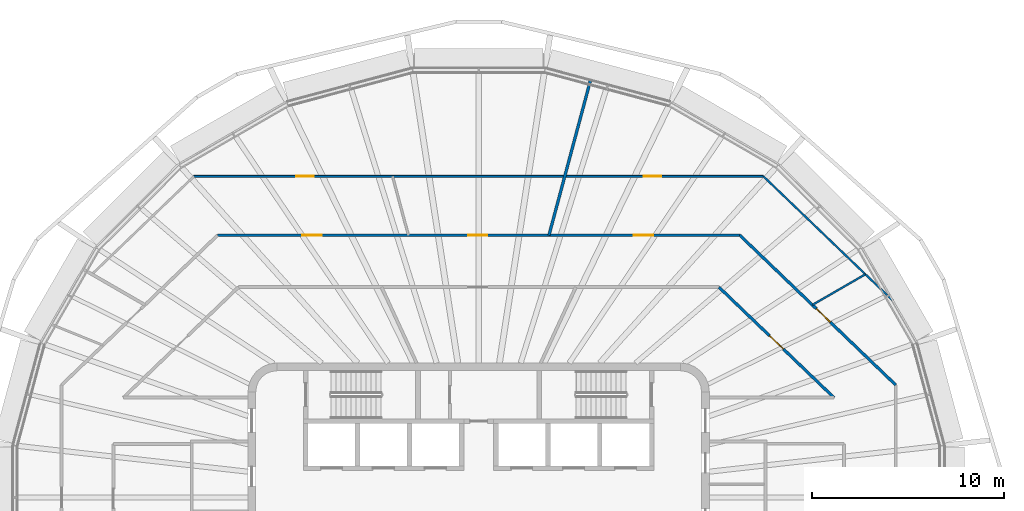
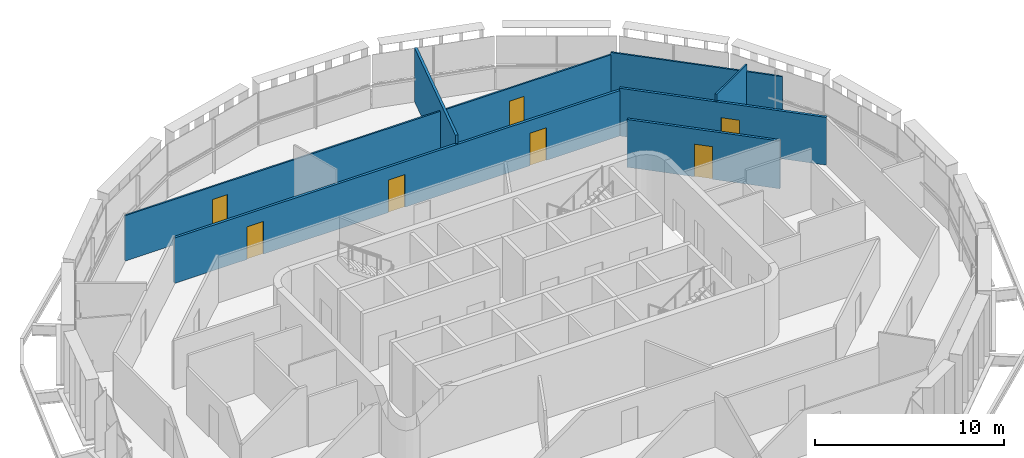
# One storey, part 11 of 18: 7 doors, 7 walls, 7 openings.
"""IFC4 building model written with IfcOpenShell, lengths in metres."""

import ifcopenshell
import ifcopenshell.guid

model = None  # the IFC model being written
_history = None  # IfcOwnerHistory: only IFC2X3 demands one
_inside = {}  # id of a spatial element -> (the spatial element, [elements in it])
_under = {}  # id of a project, library or spatial element -> (it, [spatial elements below it])
_declared = {}  # id of a project -> (the project, [libraries it declares])
_typed = {}  # id of a type object -> (the type object, [elements of that type])
_made_of = {}  # id of a material, layer set ... -> (it, [elements and type objects made of it])


def new_model(schema):
    """Start an empty IFC model of exactly this schema.

    Asked for "IFC4X3", IfcOpenShell would pick the latest addendum, in which some entities
    have other attributes; the version numbers below select the first issue.
    IFC2X3 requires an IfcOwnerHistory on every rooted entity: one is made here for all.
    """
    global model, _history
    if schema == "IFC4X3":
        model = ifcopenshell.file(schema_version=(4, 3, 0, 0))
    else:
        model = ifcopenshell.file(schema=schema)
    _inside.clear()
    _under.clear()
    _declared.clear()
    _typed.clear()
    _made_of.clear()
    _history = None
    if model.schema == "IFC2X3":
        org = make("IfcOrganization", Name="unknown")
        user = make(
            "IfcPersonAndOrganization",
            ThePerson=make("IfcPerson", FamilyName="unknown"),
            TheOrganization=org,
        )
        app = make(
            "IfcApplication",
            ApplicationDeveloper=org,
            Version="unknown",
            ApplicationFullName="unknown",
            ApplicationIdentifier="unknown",
        )
        _history = make(
            "IfcOwnerHistory",
            OwningUser=user,
            OwningApplication=app,
            ChangeAction="ADDED",
            CreationDate=0,
        )
    return model


def make(cls, **values):
    """One entity of the class cls with the attributes given. An attribute that is None is left unset."""
    return model.create_entity(
        cls, **{name: value for name, value in values.items() if value is not None}
    )


def rooted(cls, **values):
    """An entity with a GlobalId (a new one), such as an element, a storey or a relation."""
    return make(cls, GlobalId=ifcopenshell.guid.new(), OwnerHistory=_history, **values)


def si_unit(unit_type, name, prefix=None):
    """IfcSIUnit, for example si_unit("LENGTHUNIT", "METRE", prefix="MILLI")."""
    return make("IfcSIUnit", UnitType=unit_type, Prefix=prefix, Name=name)


def assignment(units):
    """IfcUnitAssignment: the units of a project."""
    return None if units is None else make("IfcUnitAssignment", Units=units)


def point(xyz):
    """IfcCartesianPoint."""
    return None if xyz is None else make("IfcCartesianPoint", Coordinates=xyz)


def direction(xyz):
    """IfcDirection."""
    return None if xyz is None else make("IfcDirection", DirectionRatios=xyz)


def frame(location, z_axis=None, x_axis=None):
    """IfcAxis2Placement3D, a coordinate frame: its origin and axes. An axis left out is left unset."""
    return make(
        "IfcAxis2Placement3D",
        Location=point(location),
        Axis=direction(z_axis),
        RefDirection=direction(x_axis),
    )


def frame_2d(location, x_axis=None):
    """IfcAxis2Placement2D, a coordinate frame in the plane: its origin and x axis."""
    return make(
        "IfcAxis2Placement2D", Location=point(location), RefDirection=direction(x_axis)
    )


def origin():
    """The frame at (0, 0, 0) with its axes left unset."""
    return frame((0.0, 0.0, 0.0))


def place(relative_to, where):
    """IfcLocalPlacement: puts the frame where relative to a parent placement (None: the world)."""
    return make(
        "IfcLocalPlacement", PlacementRelTo=relative_to, RelativePlacement=where
    )


def context(
    kind, dimensions, precision=None, world=None, true_north=None, identifier=None
):
    """IfcGeometricRepresentationContext, for example the 3D "Model" context."""
    return make(
        "IfcGeometricRepresentationContext",
        ContextIdentifier=identifier,
        ContextType=kind,
        CoordinateSpaceDimension=dimensions,
        Precision=precision,
        WorldCoordinateSystem=world,
        TrueNorth=true_north,
    )


def subcontext(parent, identifier, kind, view, scale=None):
    """IfcGeometricRepresentationSubContext, for example "Body" below "Model"."""
    return make(
        "IfcGeometricRepresentationSubContext",
        ContextIdentifier=identifier,
        ContextType=kind,
        ParentContext=parent,
        TargetScale=scale,
        TargetView=view,
    )


def project(units=None, contexts=None):
    """IfcProject with its units and contexts."""
    return rooted(
        "IfcProject",
        Name="project",
        RepresentationContexts=contexts,
        UnitsInContext=assignment(units),
    )


def spatial(cls, under=None, at=None, **own):
    """A site, building, storey or space (cls), placed at a placement, below another one or the project."""
    s = rooted(cls, ObjectPlacement=at, **own)
    if under is not None:
        _under.setdefault(under.id(), (under, []))[1].append(s)
    return s


def profile(cls, at=None, kind="AREA", **sizes):
    """A parametric profile (cls). Its sizes go by their IFC names, for example OverallWidth=200.0."""
    return make(cls, ProfileType=kind, Position=at, **sizes)


def rectangle(**sizes):
    """IfcRectangleProfileDef."""
    return profile("IfcRectangleProfileDef", **sizes)


def extrude(swept, where, along, depth):
    """IfcExtrudedAreaSolid: the profile swept, set in the frame where, extruded along a direction by depth."""
    return make(
        "IfcExtrudedAreaSolid",
        SweptArea=swept,
        Position=where,
        ExtrudedDirection=direction(along),
        Depth=depth,
    )


def shape(context_of_items, identifier, shape_type, items):
    """IfcShapeRepresentation: the items that make up one representation, for example the "Body"."""
    return make(
        "IfcShapeRepresentation",
        ContextOfItems=context_of_items,
        RepresentationIdentifier=identifier,
        RepresentationType=shape_type,
        Items=items,
    )


def material(Name=None, Category=None):
    """IfcMaterial."""
    return make("IfcMaterial", Name=Name, Category=Category)


def layer(
    of_material, thickness, ventilated=None, Name=None, Category=None, Priority=None
):
    """IfcMaterialLayer: one layer of a wall or slab, of a material (None: an air gap)."""
    return make(
        "IfcMaterialLayer",
        Material=of_material,
        LayerThickness=thickness,
        IsVentilated=ventilated,
        Name=Name,
        Category=Category,
        Priority=Priority,
    )


def layer_set(layers, Name=None):
    """IfcMaterialLayerSet."""
    return make("IfcMaterialLayerSet", MaterialLayers=layers, LayerSetName=Name)


def made_of(thing, what):
    """Note that an element or type object is made of a material, layer set ...; save() writes the relation."""
    if what is not None:
        _made_of.setdefault(what.id(), (what, []))[1].append(thing)
    return thing


def type_object(cls, material=None, **own):
    """A type object (cls), such as IfcWallType, which elements share."""
    return made_of(rooted(cls, **own), material)


def element(
    cls,
    number,
    at=None,
    inside=None,
    cuts=None,
    type_object=None,
    material=None,
    context=None,
    identifier="Body",
    shape_type=None,
    held_by="IfcProductDefinitionShape",
    body=None,
    shapes=None,
    **own,
):
    """One element of the class cls, such as IfcWall. Its Tag is "e" and its number.

    at: its placement. inside: the storey or other place that contains it. cuts: it is an
    opening in that element (IfcRelVoidsElement). A single representation is given by context,
    identifier, shape_type and body (its items); several are given by shapes. held_by: the class
    of the entity that holds the representations. save() writes the other relations.
    """
    e = rooted(cls, Tag="e%d" % number, ObjectPlacement=at, **own)
    if body is not None:
        shapes = [shape(context, identifier, shape_type, body)]
    if shapes is not None:
        e.Representation = make(held_by, Representations=shapes)
    if inside is not None:
        _inside.setdefault(inside.id(), (inside, []))[1].append(e)
    if cuts is not None:
        rooted(
            "IfcRelVoidsElement", RelatingBuildingElement=cuts, RelatedOpeningElement=e
        )
    if type_object is not None:
        _typed.setdefault(type_object.id(), (type_object, []))[1].append(e)
    return made_of(e, material)


def fill(opening, filler):
    """IfcRelFillsElement: the door or window that sits in an opening."""
    return rooted(
        "IfcRelFillsElement",
        RelatingOpeningElement=opening,
        RelatedBuildingElement=filler,
    )


def aggregate(whole, parts):
    """IfcRelAggregates: a whole, such as a stair, and the parts it consists of."""
    return rooted("IfcRelAggregates", RelatingObject=whole, RelatedObjects=parts)


def save(model, path):
    """Write the relations noted so far, then the file.

    IfcRelAggregates (storeys below a building ...), IfcRelContainedInSpatialStructure (elements
    in a storey), IfcRelDefinesByType, IfcRelAssociatesMaterial and IfcRelDeclares: one each for
    every whole, place, type object, material and project.
    """
    for whole, parts in _under.values():
        aggregate(whole, parts)
    for where, things in _inside.values():
        rooted(
            "IfcRelContainedInSpatialStructure",
            RelatedElements=things,
            RelatingStructure=where,
        )
    for kind, things in _typed.values():
        rooted("IfcRelDefinesByType", RelatedObjects=things, RelatingType=kind)
    for what, things in _made_of.values():
        rooted("IfcRelAssociatesMaterial", RelatedObjects=things, RelatingMaterial=what)
    for by, libraries in _declared.values():
        rooted("IfcRelDeclares", RelatingContext=by, RelatedDefinitions=libraries)
    model.write(path)


model = new_model("IFC4")

# Units and contexts
model_context = context("Model", 3, precision=1e-05, world=origin(), true_north=direction((0.0, 1.0)))
body_context = subcontext(model_context, "Body", "Model", "MODEL_VIEW")
ifc_project = project(units=[si_unit("LENGTHUNIT", "METRE"), si_unit("AREAUNIT", "SQUARE_METRE"), si_unit("VOLUMEUNIT", "CUBIC_METRE"), si_unit("PLANEANGLEUNIT", "RADIAN"), si_unit("MASSUNIT", "GRAM", prefix="KILO")], contexts=[model_context])

# Site, building, storey
site_placement = place(None, origin())
site = spatial("IfcSite", under=ifc_project, at=site_placement, CompositionType="ELEMENT")
building_placement = place(site_placement, origin())
building = spatial("IfcBuilding", under=site, at=building_placement, Name="Sahrelin Media Tower", CompositionType="ELEMENT")
storey_placement = place(building_placement, frame((0.0, 0.0, 320.39990234375)))
storey = spatial("IfcBuildingStorey", under=building, at=storey_placement, Name="L71", CompositionType="ELEMENT", Elevation=320.39990234375)

# Wall, opening, door
ifc_material_1 = material(Name="Fire-rated gypsum board partition")
ifc_layer_1 = layer(ifc_material_1, 0.14990234375)
ifc_layer_set_1 = layer_set([ifc_layer_1], Name="Fire-rated partition 150")
wall_type_1 = type_object("IfcWallType", Name="Fire-rated partition 150", PredefinedType="PARTITIONING", material=ifc_layer_set_1)
wall_1_placement = place(storey_placement, frame((12.498046875, 10.948974609375, 0.0), z_axis=(0.0, 0.0, 1.0), x_axis=(0.721258572397, -0.692665916401, 0.0)))
wall_1 = element("IfcWall", 1, at=wall_1_placement, inside=storey, type_object=wall_type_1, Name="Wall", PredefinedType="PARTITIONING", context=body_context, shape_type="SweptSolid", body=[
    extrude(rectangle(XDim=8.299560546875, YDim=0.14990234375, at=frame_2d((4.14990234375, 0.0))), origin(), (0.0, 0.0, 1.0), 3.076171875),
])
opening_1_placement = place(wall_1_placement, frame((3.6494140625, 0.0, 0.0)))
opening_1 = element("IfcOpeningElement", 2, at=opening_1_placement, cuts=wall_1, Name="Opening L71-D22", PredefinedType="OPENING", context=body_context, shape_type="SweptSolid", body=[
    extrude(rectangle(XDim=1.0, YDim=2.10009765625, at=frame_2d((0.5, 1.050048828125))), frame((0.0, 0.074951171875, 0.0), z_axis=(0.0, -1.0, 0.0), x_axis=(1.0, 0.0, 0.0)), (0.0, 0.0, 1.0), 0.14990234375),
])
ifc_material_2 = material(Name="Steel fire door leaf", Category="steel")
door_type_1 = type_object("IfcDoorType", Name="Fire door 1000 x 2100 EI 60", OperationType="NOTDEFINED", PredefinedType="DOOR", material=ifc_material_2)
door_1_placement = place(opening_1_placement, origin())
door_1 = element("IfcDoor", 3, at=door_1_placement, inside=storey, type_object=door_type_1, Name="Fire door", OperationType="SINGLE_SWING_LEFT", OverallHeight=2.10009765625, OverallWidth=1.0, PredefinedType="DOOR", context=body_context, shape_type="SweptSolid", body=[
    extrude(rectangle(XDim=1.0, YDim=2.10009765625, at=frame_2d((0.5, 1.050048828125))), frame((0.0, 0.02490234375, 0.0), z_axis=(0.0, -1.0, 0.0), x_axis=(1.0, 0.0, 0.0)), (0.0, 0.0, 1.0), 0.050048828125),
])
fill(opening_1, door_1)

wall_2_placement = place(storey_placement, frame((13.583984375, 13.64892578125, 0.0), z_axis=(0.0, 0.0, 1.0), x_axis=(0.721271112153, -0.692652858778, 0.0)))
wall_2 = element("IfcWall", 4, at=wall_2_placement, inside=storey, type_object=wall_type_1, Name="Wall", PredefinedType="PARTITIONING", context=body_context, shape_type="SweptSolid", body=[
    extrude(rectangle(XDim=11.252197265625, YDim=0.14990234375, at=frame_2d((5.6259765625, 0.0))), origin(), (0.0, 0.0, 1.0), 3.076171875),
])
opening_2_placement = place(wall_2_placement, frame((5.528564453125, 0.0, 0.0)))
opening_2 = element("IfcOpeningElement", 5, at=opening_2_placement, cuts=wall_2, Name="Opening L71-D26", PredefinedType="OPENING", context=body_context, shape_type="SweptSolid", body=[
    extrude(rectangle(XDim=1.0, YDim=2.10009765625, at=frame_2d((0.5, 1.050048828125))), frame((0.0, 0.074951171875, 0.0), z_axis=(0.0, -1.0, 0.0), x_axis=(1.0, 0.0, 0.0)), (0.0, 0.0, 1.0), 0.14990234375),
])
door_2_placement = place(opening_2_placement, origin())
door_2 = element("IfcDoor", 6, at=door_2_placement, inside=storey, type_object=door_type_1, Name="Fire door", OperationType="SINGLE_SWING_LEFT", OverallHeight=2.10009765625, OverallWidth=1.0, PredefinedType="DOOR", context=body_context, shape_type="SweptSolid", body=[
    extrude(rectangle(XDim=1.0, YDim=2.10009765625, at=frame_2d((0.5, 1.050048828125))), frame((0.0, 0.02490234375, 0.0), z_axis=(0.0, -1.0, 0.0), x_axis=(1.0, 0.0, 0.0)), (0.0, 0.0, 1.0), 0.050048828125),
])
fill(opening_2, door_2)

# Wall, openings, doors
wall_3_placement = place(storey_placement, frame((-13.583984375, 13.64892578125, 0.0), z_axis=(0.0, 0.0, 1.0), x_axis=(1.0, 0.0, 0.0)))
wall_3 = element("IfcWall", 7, at=wall_3_placement, inside=storey, type_object=wall_type_1, Name="Wall", PredefinedType="PARTITIONING", context=body_context, shape_type="SweptSolid", body=[
    extrude(rectangle(XDim=27.16796875, YDim=0.14990234375, at=frame_2d((13.583984375, 0.0))), origin(), (0.0, 0.0, 1.0), 2.927001953125),
])
opening_3_placement = place(wall_3_placement, frame((21.654296875, 0.0, 0.0)))
opening_3 = element("IfcOpeningElement", 8, at=opening_3_placement, cuts=wall_3, Name="Opening L71-D27", PredefinedType="OPENING", context=body_context, shape_type="SweptSolid", body=[
    extrude(rectangle(XDim=1.0, YDim=2.10009765625, at=frame_2d((0.5, 1.050048828125))), frame((0.0, 0.074951171875, 0.0), z_axis=(0.0, -1.0, 0.0), x_axis=(1.0, 0.0, 0.0)), (0.0, 0.0, 1.0), 0.14990234375),
])
opening_4_placement = place(wall_3_placement, frame((13.033935546875, 0.0, 0.0)))
opening_4 = element("IfcOpeningElement", 9, at=opening_4_placement, cuts=wall_3, Name="Opening L71-D29", PredefinedType="OPENING", context=body_context, shape_type="SweptSolid", body=[
    extrude(rectangle(XDim=1.0, YDim=2.10009765625, at=frame_2d((0.5, 1.050048828125))), frame((0.0, 0.074951171875, 0.0), z_axis=(0.0, -1.0, 0.0), x_axis=(1.0, 0.0, 0.0)), (0.0, 0.0, 1.0), 0.14990234375),
])
opening_5_placement = place(wall_3_placement, frame((4.413330078125, 0.0, 0.0)))
opening_5 = element("IfcOpeningElement", 10, at=opening_5_placement, cuts=wall_3, Name="Opening L71-D30", PredefinedType="OPENING", context=body_context, shape_type="SweptSolid", body=[
    extrude(rectangle(XDim=1.0, YDim=2.10009765625, at=frame_2d((0.5, 1.050048828125))), frame((0.0, 0.074951171875, 0.0), z_axis=(0.0, -1.0, 0.0), x_axis=(1.0, 0.0, 0.0)), (0.0, 0.0, 1.0), 0.14990234375),
])
door_3_placement = place(opening_3_placement, origin())
door_3 = element("IfcDoor", 11, at=door_3_placement, inside=storey, type_object=door_type_1, Name="Fire door", OperationType="SINGLE_SWING_LEFT", OverallHeight=2.10009765625, OverallWidth=1.0, PredefinedType="DOOR", context=body_context, shape_type="SweptSolid", body=[
    extrude(rectangle(XDim=1.0, YDim=2.10009765625, at=frame_2d((0.5, 1.050048828125))), frame((0.0, 0.02490234375, 0.0), z_axis=(0.0, -1.0, 0.0), x_axis=(1.0, 0.0, 0.0)), (0.0, 0.0, 1.0), 0.050048828125),
])
fill(opening_3, door_3)
door_4_placement = place(opening_4_placement, origin())
door_4 = element("IfcDoor", 12, at=door_4_placement, inside=storey, type_object=door_type_1, Name="Fire door", OperationType="SINGLE_SWING_RIGHT", OverallHeight=2.10009765625, OverallWidth=1.0, PredefinedType="DOOR", context=body_context, shape_type="SweptSolid", body=[
    extrude(rectangle(XDim=1.0, YDim=2.10009765625, at=frame_2d((0.5, 1.050048828125))), frame((0.0, 0.02490234375, 0.0), z_axis=(0.0, -1.0, 0.0), x_axis=(1.0, 0.0, 0.0)), (0.0, 0.0, 1.0), 0.050048828125),
])
fill(opening_4, door_4)
door_5_placement = place(opening_5_placement, origin())
door_5 = element("IfcDoor", 13, at=door_5_placement, inside=storey, type_object=door_type_1, Name="Fire door", OperationType="SINGLE_SWING_RIGHT", OverallHeight=2.10009765625, OverallWidth=1.0, PredefinedType="DOOR", context=body_context, shape_type="SweptSolid", body=[
    extrude(rectangle(XDim=1.0, YDim=2.10009765625, at=frame_2d((0.5, 1.050048828125))), frame((0.0, 0.02490234375, 0.0), z_axis=(0.0, -1.0, 0.0), x_axis=(1.0, 0.0, 0.0)), (0.0, 0.0, 1.0), 0.050048828125),
])
fill(opening_5, door_5)

# Walls
wall_4_placement = place(storey_placement, frame((3.656982421875, 13.64892578125, 0.0), z_axis=(0.0, 0.0, 1.0), x_axis=(0.258848580141, 0.965917911915, 0.0)))
element("IfcWall", 14, at=wall_4_placement, inside=storey, type_object=wall_type_1, Name="Wall", PredefinedType="PARTITIONING", context=body_context, shape_type="SweptSolid", body=[
    extrude(rectangle(XDim=8.352783203125, YDim=0.14990234375, at=frame_2d((4.17626953125, 0.0))), origin(), (0.0, 0.0, 1.0), 3.47509765625),
])
ifc_material_3 = material(Name="Gypsum board partition")
ifc_layer_2 = layer(ifc_material_3, 0.10009765625)
ifc_layer_set_2 = layer_set([ifc_layer_2], Name="Partition 100")
wall_type_2 = type_object("IfcWallType", Name="Partition 100", PredefinedType="PARTITIONING", material=ifc_layer_set_2)
wall_5_placement = place(storey_placement, frame((14.81494140625, 16.708984375, 0.0), z_axis=(0.0, 0.0, 1.0), x_axis=(0.721311576117, -0.692610720506, 0.0)))
element("IfcWall", 15, at=wall_5_placement, inside=storey, type_object=wall_type_2, Name="Wall", PredefinedType="PARTITIONING", context=body_context, shape_type="SweptSolid", body=[
    extrude(rectangle(XDim=9.340087890625, YDim=0.10009765625, at=frame_2d((4.669921875, 0.0))), origin(), (0.0, 0.0, 1.0), 3.076171875),
])

# Wall, openings, doors
wall_6_placement = place(storey_placement, frame((-14.81494140625, 16.708984375, 0.0), z_axis=(0.0, 0.0, 1.0), x_axis=(1.0, 0.0, 0.0)))
wall_6 = element("IfcWall", 16, at=wall_6_placement, inside=storey, type_object=wall_type_2, Name="Wall", PredefinedType="PARTITIONING", context=body_context, shape_type="SweptSolid", body=[
    extrude(rectangle(XDim=29.6298828125, YDim=0.10009765625, at=frame_2d((14.81494140625, 0.0))), origin(), (0.0, 0.0, 1.0), 2.927001953125),
])
opening_6_placement = place(wall_6_placement, frame((23.408203125, 0.0, 0.0)))
opening_6 = element("IfcOpeningElement", 17, at=opening_6_placement, cuts=wall_6, Name="Opening L71-D28", PredefinedType="OPENING", context=body_context, shape_type="SweptSolid", body=[
    extrude(rectangle(XDim=0.89990234375, YDim=2.10009765625, at=frame_2d((0.449951171875, 1.050048828125))), frame((0.0, 0.050048828125, 0.0), z_axis=(0.0, -1.0, 0.0), x_axis=(1.0, 0.0, 0.0)), (0.0, 0.0, 1.0), 0.10009765625),
])
opening_7_placement = place(wall_6_placement, frame((5.32177734375, 0.0, 0.0)))
opening_7 = element("IfcOpeningElement", 18, at=opening_7_placement, cuts=wall_6, Name="Opening L71-D31", PredefinedType="OPENING", context=body_context, shape_type="SweptSolid", body=[
    extrude(rectangle(XDim=0.89990234375, YDim=2.10009765625, at=frame_2d((0.449951171875, 1.050048828125))), frame((0.0, 0.050048828125, 0.0), z_axis=(0.0, -1.0, 0.0), x_axis=(1.0, 0.0, 0.0)), (0.0, 0.0, 1.0), 0.10009765625),
])
ifc_material_4 = material(Name="Timber door leaf", Category="wood")
door_type_2 = type_object("IfcDoorType", Name="Single door 900 x 2100", OperationType="NOTDEFINED", PredefinedType="DOOR", material=ifc_material_4)
door_6_placement = place(opening_6_placement, origin())
door_6 = element("IfcDoor", 19, at=door_6_placement, inside=storey, type_object=door_type_2, Name="Single door", OperationType="SINGLE_SWING_RIGHT", OverallHeight=2.10009765625, OverallWidth=0.89990234375, PredefinedType="DOOR", context=body_context, shape_type="SweptSolid", body=[
    extrude(rectangle(XDim=0.89990234375, YDim=2.10009765625, at=frame_2d((0.449951171875, 1.050048828125))), frame((0.0, 0.02490234375, 0.0), z_axis=(0.0, -1.0, 0.0), x_axis=(1.0, 0.0, 0.0)), (0.0, 0.0, 1.0), 0.050048828125),
])
fill(opening_6, door_6)
door_7_placement = place(opening_7_placement, origin())
door_7 = element("IfcDoor", 20, at=door_7_placement, inside=storey, type_object=door_type_2, Name="Single door", OperationType="SINGLE_SWING_RIGHT", OverallHeight=2.10009765625, OverallWidth=0.89990234375, PredefinedType="DOOR", context=body_context, shape_type="SweptSolid", body=[
    extrude(rectangle(XDim=0.89990234375, YDim=2.10009765625, at=frame_2d((0.449951171875, 1.050048828125))), frame((0.0, 0.02490234375, 0.0), z_axis=(0.0, -1.0, 0.0), x_axis=(1.0, 0.0, 0.0)), (0.0, 0.0, 1.0), 0.050048828125),
])
fill(opening_7, door_7)

# Wall
wall_7_placement = place(storey_placement, frame((17.360107421875, 10.02294921875, 0.0), z_axis=(0.0, 0.0, 1.0), x_axis=(0.865994143547, 0.500054140411, 0.0)))
element("IfcWall", 21, at=wall_7_placement, inside=storey, type_object=wall_type_2, Name="Wall", PredefinedType="PARTITIONING", context=body_context, shape_type="SweptSolid", body=[
    extrude(rectangle(XDim=3.185791015625, YDim=0.10009765625, at=frame_2d((1.5927734375, 0.0))), origin(), (0.0, 0.0, 1.0), 3.526611328125),
])

save(model, "model.ifc")
